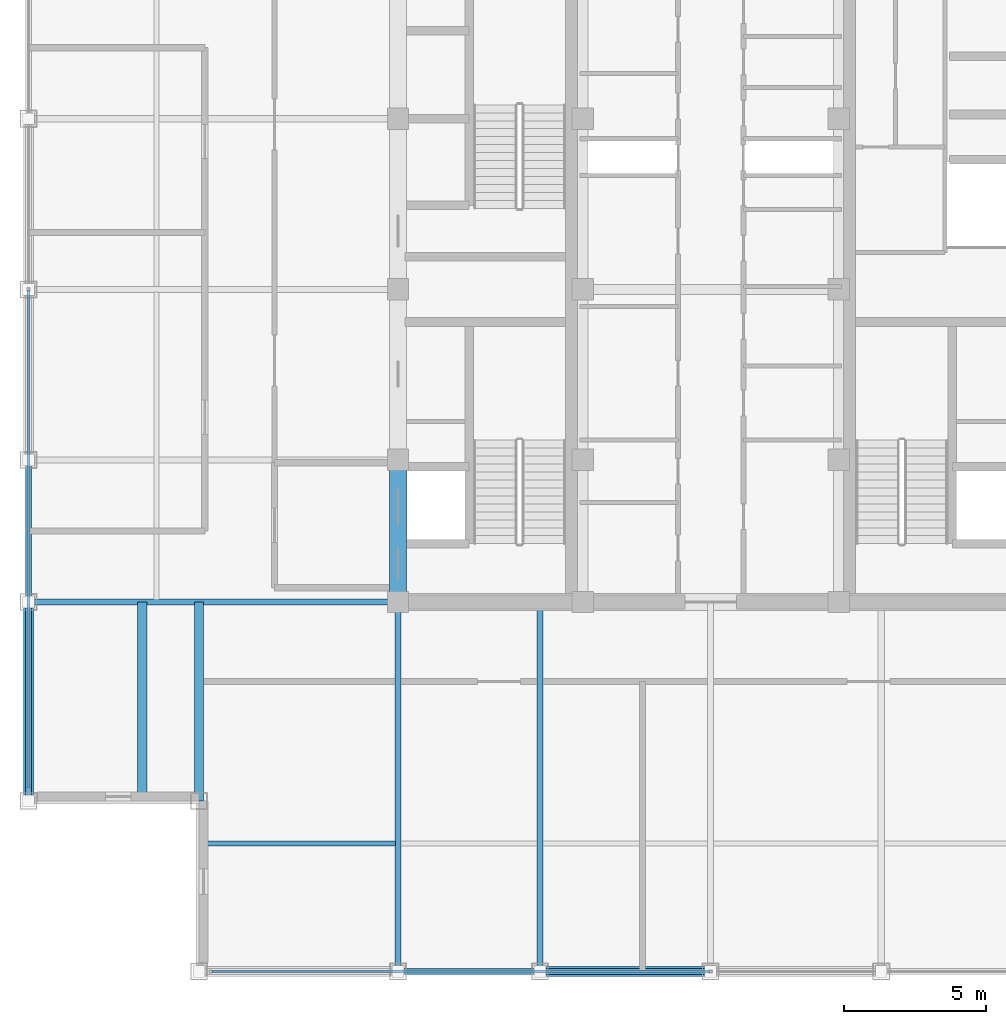
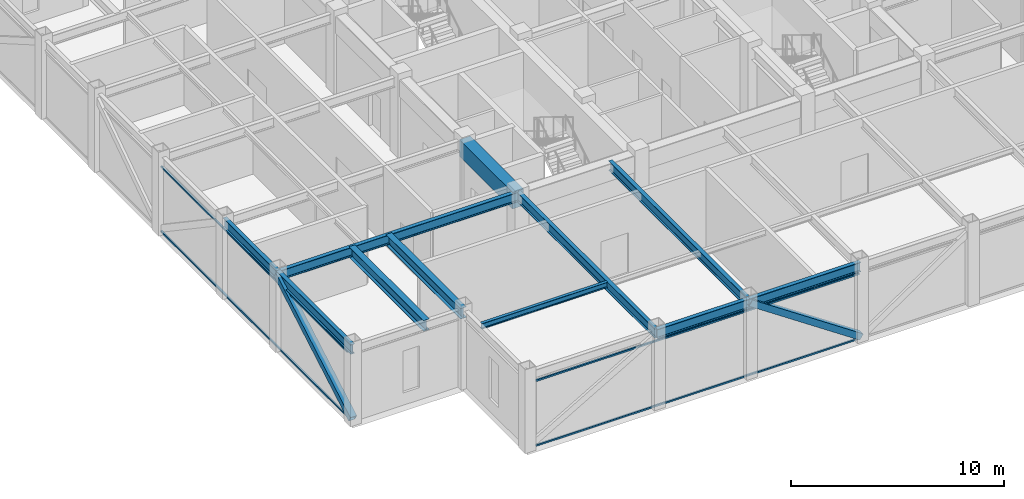
# One storey, part 3 of 27: 11 beams, 6 members, 2 elements without a shape of their own.
"""IFC4 building model written with IfcOpenShell, lengths in metres."""

import ifcopenshell
import ifcopenshell.guid

model = None  # the IFC model being written
_history = None  # IfcOwnerHistory: only IFC2X3 demands one
_inside = {}  # id of a spatial element -> (the spatial element, [elements in it])
_under = {}  # id of a project, library or spatial element -> (it, [spatial elements below it])
_declared = {}  # id of a project -> (the project, [libraries it declares])
_typed = {}  # id of a type object -> (the type object, [elements of that type])
_made_of = {}  # id of a material, layer set ... -> (it, [elements and type objects made of it])


def new_model(schema):
    """Start an empty IFC model of exactly this schema.

    Asked for "IFC4X3", IfcOpenShell would pick the latest addendum, in which some entities
    have other attributes; the version numbers below select the first issue.
    IFC2X3 requires an IfcOwnerHistory on every rooted entity: one is made here for all.
    """
    global model, _history
    if schema == "IFC4X3":
        model = ifcopenshell.file(schema_version=(4, 3, 0, 0))
    else:
        model = ifcopenshell.file(schema=schema)
    _inside.clear()
    _under.clear()
    _declared.clear()
    _typed.clear()
    _made_of.clear()
    _history = None
    if model.schema == "IFC2X3":
        org = make("IfcOrganization", Name="unknown")
        user = make(
            "IfcPersonAndOrganization",
            ThePerson=make("IfcPerson", FamilyName="unknown"),
            TheOrganization=org,
        )
        app = make(
            "IfcApplication",
            ApplicationDeveloper=org,
            Version="unknown",
            ApplicationFullName="unknown",
            ApplicationIdentifier="unknown",
        )
        _history = make(
            "IfcOwnerHistory",
            OwningUser=user,
            OwningApplication=app,
            ChangeAction="ADDED",
            CreationDate=0,
        )
    return model


def make(cls, **values):
    """One entity of the class cls with the attributes given. An attribute that is None is left unset."""
    return model.create_entity(
        cls, **{name: value for name, value in values.items() if value is not None}
    )


def rooted(cls, **values):
    """An entity with a GlobalId (a new one), such as an element, a storey or a relation."""
    return make(cls, GlobalId=ifcopenshell.guid.new(), OwnerHistory=_history, **values)


def si_unit(unit_type, name, prefix=None):
    """IfcSIUnit, for example si_unit("LENGTHUNIT", "METRE", prefix="MILLI")."""
    return make("IfcSIUnit", UnitType=unit_type, Prefix=prefix, Name=name)


def assignment(units):
    """IfcUnitAssignment: the units of a project."""
    return None if units is None else make("IfcUnitAssignment", Units=units)


def point(xyz):
    """IfcCartesianPoint."""
    return None if xyz is None else make("IfcCartesianPoint", Coordinates=xyz)


def direction(xyz):
    """IfcDirection."""
    return None if xyz is None else make("IfcDirection", DirectionRatios=xyz)


def frame(location, z_axis=None, x_axis=None):
    """IfcAxis2Placement3D, a coordinate frame: its origin and axes. An axis left out is left unset."""
    return make(
        "IfcAxis2Placement3D",
        Location=point(location),
        Axis=direction(z_axis),
        RefDirection=direction(x_axis),
    )


def frame_2d(location, x_axis=None):
    """IfcAxis2Placement2D, a coordinate frame in the plane: its origin and x axis."""
    return make(
        "IfcAxis2Placement2D", Location=point(location), RefDirection=direction(x_axis)
    )


def origin():
    """The frame at (0, 0, 0) with its axes left unset."""
    return frame((0.0, 0.0, 0.0))


def origin_2d():
    """The frame at (0, 0) in the plane with its x axis left unset."""
    return frame_2d((0.0, 0.0))


def place(relative_to, where):
    """IfcLocalPlacement: puts the frame where relative to a parent placement (None: the world)."""
    return make(
        "IfcLocalPlacement", PlacementRelTo=relative_to, RelativePlacement=where
    )


def context(
    kind, dimensions, precision=None, world=None, true_north=None, identifier=None
):
    """IfcGeometricRepresentationContext, for example the 3D "Model" context."""
    return make(
        "IfcGeometricRepresentationContext",
        ContextIdentifier=identifier,
        ContextType=kind,
        CoordinateSpaceDimension=dimensions,
        Precision=precision,
        WorldCoordinateSystem=world,
        TrueNorth=true_north,
    )


def subcontext(parent, identifier, kind, view, scale=None):
    """IfcGeometricRepresentationSubContext, for example "Body" below "Model"."""
    return make(
        "IfcGeometricRepresentationSubContext",
        ContextIdentifier=identifier,
        ContextType=kind,
        ParentContext=parent,
        TargetScale=scale,
        TargetView=view,
    )


def project(units=None, contexts=None):
    """IfcProject with its units and contexts."""
    return rooted(
        "IfcProject",
        Name="project",
        RepresentationContexts=contexts,
        UnitsInContext=assignment(units),
    )


def spatial(cls, under=None, at=None, **own):
    """A site, building, storey or space (cls), placed at a placement, below another one or the project."""
    s = rooted(cls, ObjectPlacement=at, **own)
    if under is not None:
        _under.setdefault(under.id(), (under, []))[1].append(s)
    return s


def profile(cls, at=None, kind="AREA", **sizes):
    """A parametric profile (cls). Its sizes go by their IFC names, for example OverallWidth=200.0."""
    return make(cls, ProfileType=kind, Position=at, **sizes)


def rectangle(**sizes):
    """IfcRectangleProfileDef."""
    return profile("IfcRectangleProfileDef", **sizes)


def hollow_rectangle(**sizes):
    """IfcRectangleHollowProfileDef."""
    return profile("IfcRectangleHollowProfileDef", **sizes)


def i_section(**sizes):
    """IfcIShapeProfileDef."""
    return profile("IfcIShapeProfileDef", **sizes)


def extrude(swept, where, along, depth):
    """IfcExtrudedAreaSolid: the profile swept, set in the frame where, extruded along a direction by depth."""
    return make(
        "IfcExtrudedAreaSolid",
        SweptArea=swept,
        Position=where,
        ExtrudedDirection=direction(along),
        Depth=depth,
    )


def shape(context_of_items, identifier, shape_type, items):
    """IfcShapeRepresentation: the items that make up one representation, for example the "Body"."""
    return make(
        "IfcShapeRepresentation",
        ContextOfItems=context_of_items,
        RepresentationIdentifier=identifier,
        RepresentationType=shape_type,
        Items=items,
    )


def source(mapping_origin, context_of_items, identifier, shape_type, items):
    """IfcRepresentationMap: a shape defined once, which mapped items show again and again."""
    return make(
        "IfcRepresentationMap",
        MappingOrigin=mapping_origin,
        MappedRepresentation=shape(context_of_items, identifier, shape_type, items),
    )


def transform(
    local_origin,
    x_axis=None,
    y_axis=None,
    z_axis=None,
    scale=None,
    scale2=None,
    scale3=None,
    uniform=True,
):
    """IfcCartesianTransformationOperator3D, or its non-uniform kind. x_axis, y_axis, z_axis: its Axis1, 2, 3."""
    if uniform:
        return make(
            "IfcCartesianTransformationOperator3D",
            Axis1=direction(x_axis),
            Axis2=direction(y_axis),
            LocalOrigin=point(local_origin),
            Scale=scale,
            Axis3=direction(z_axis),
        )
    return make(
        "IfcCartesianTransformationOperator3DnonUniform",
        Axis1=direction(x_axis),
        Axis2=direction(y_axis),
        LocalOrigin=point(local_origin),
        Scale=scale,
        Axis3=direction(z_axis),
        Scale2=scale2,
        Scale3=scale3,
    )


def mapped(mapping_source, mapping_target):
    """IfcMappedItem: shows the shape of a source again, moved by a transform."""
    return make(
        "IfcMappedItem", MappingSource=mapping_source, MappingTarget=mapping_target
    )


def material(Name=None, Category=None):
    """IfcMaterial."""
    return make("IfcMaterial", Name=Name, Category=Category)


def material_profile(
    of_material, cross_section, Name=None, Category=None, Priority=None
):
    """IfcMaterialProfile: a cross section and its material."""
    return make(
        "IfcMaterialProfile",
        Name=Name,
        Material=of_material,
        Profile=cross_section,
        Priority=Priority,
        Category=Category,
    )


def profile_set(profiles, Name=None, composite=None):
    """IfcMaterialProfileSet."""
    return make(
        "IfcMaterialProfileSet",
        Name=Name,
        MaterialProfiles=profiles,
        CompositeProfile=composite,
    )


def made_of(thing, what):
    """Note that an element or type object is made of a material, layer set ...; save() writes the relation."""
    if what is not None:
        _made_of.setdefault(what.id(), (what, []))[1].append(thing)
    return thing


def type_object(cls, material=None, **own):
    """A type object (cls), such as IfcWallType, which elements share."""
    return made_of(rooted(cls, **own), material)


def element(
    cls,
    number,
    at=None,
    inside=None,
    cuts=None,
    type_object=None,
    material=None,
    context=None,
    identifier="Body",
    shape_type=None,
    held_by="IfcProductDefinitionShape",
    body=None,
    shapes=None,
    **own,
):
    """One element of the class cls, such as IfcWall. Its Tag is "e" and its number.

    at: its placement. inside: the storey or other place that contains it. cuts: it is an
    opening in that element (IfcRelVoidsElement). A single representation is given by context,
    identifier, shape_type and body (its items); several are given by shapes. held_by: the class
    of the entity that holds the representations. save() writes the other relations.
    """
    e = rooted(cls, Tag="e%d" % number, ObjectPlacement=at, **own)
    if body is not None:
        shapes = [shape(context, identifier, shape_type, body)]
    if shapes is not None:
        e.Representation = make(held_by, Representations=shapes)
    if inside is not None:
        _inside.setdefault(inside.id(), (inside, []))[1].append(e)
    if cuts is not None:
        rooted(
            "IfcRelVoidsElement", RelatingBuildingElement=cuts, RelatedOpeningElement=e
        )
    if type_object is not None:
        _typed.setdefault(type_object.id(), (type_object, []))[1].append(e)
    return made_of(e, material)


def aggregate(whole, parts):
    """IfcRelAggregates: a whole, such as a stair, and the parts it consists of."""
    return rooted("IfcRelAggregates", RelatingObject=whole, RelatedObjects=parts)


def save(model, path):
    """Write the relations noted so far, then the file.

    IfcRelAggregates (storeys below a building ...), IfcRelContainedInSpatialStructure (elements
    in a storey), IfcRelDefinesByType, IfcRelAssociatesMaterial and IfcRelDeclares: one each for
    every whole, place, type object, material and project.
    """
    for whole, parts in _under.values():
        aggregate(whole, parts)
    for where, things in _inside.values():
        rooted(
            "IfcRelContainedInSpatialStructure",
            RelatedElements=things,
            RelatingStructure=where,
        )
    for kind, things in _typed.values():
        rooted("IfcRelDefinesByType", RelatedObjects=things, RelatingType=kind)
    for what, things in _made_of.values():
        rooted("IfcRelAssociatesMaterial", RelatedObjects=things, RelatingMaterial=what)
    for by, libraries in _declared.values():
        rooted("IfcRelDeclares", RelatingContext=by, RelatedDefinitions=libraries)
    model.write(path)


model = new_model("IFC4")

# Units and contexts
model_context = context("Model", 3, precision=1e-05, world=origin(), true_north=direction((0.0, 1.0)))
body_context = subcontext(model_context, "Body", "Model", "MODEL_VIEW")
ifc_project = project(units=[si_unit("LENGTHUNIT", "METRE"), si_unit("AREAUNIT", "SQUARE_METRE"), si_unit("VOLUMEUNIT", "CUBIC_METRE"), si_unit("PLANEANGLEUNIT", "RADIAN"), si_unit("MASSUNIT", "GRAM", prefix="KILO")], contexts=[model_context])

# Site, building, storey
site_placement = place(None, origin())
site = spatial("IfcSite", under=ifc_project, at=site_placement, CompositionType="ELEMENT")
building_placement = place(site_placement, origin())
building = spatial("IfcBuilding", under=site, at=building_placement, Name="Khorayat Bourse Tower", CompositionType="ELEMENT")
storey_placement = place(building_placement, frame((0.0, 0.0, 385.10009765625)))
storey = spatial("IfcBuildingStorey", under=building, at=storey_placement, Name="L91", CompositionType="ELEMENT", Elevation=385.10009765625)

# Beams
ifc_material_1 = material(Name="Concrete C60/75", Category="concrete")
ifc_material_profile_1 = material_profile(ifc_material_1, rectangle(XDim=0.60009765625, YDim=0.949951171875, at=origin_2d()), Name="RC 600x950")
ifc_profile_set_1 = profile_set([ifc_material_profile_1], Name="Concrete C60/75")
beam_type_1 = type_object("IfcBeamType", Name="BM-COUP-950", PredefinedType="BEAM", material=ifc_profile_set_1)
shared_shape_1 = source(origin(), body_context, "Body", "SweptSolid", [
    extrude(rectangle(XDim=0.60009765625, YDim=0.949951171875, at=origin_2d()), origin(), (0.0, 0.0, 1.0), 5.0),
])
beam_1_placement = place(storey_placement, frame((-11.0, -11.0, 3.974853515625), z_axis=(0.0, 1.0, 0.0), x_axis=(-1.0, 0.0, 0.0)))
element("IfcBeam", 1, at=beam_1_placement, inside=storey, type_object=beam_type_1, Name="L91 BM-COUP-950 BM-L91-CRX-01", PredefinedType="BEAM", context=body_context, shape_type="MappedRepresentation", body=[
    mapped(shared_shape_1, transform((0.0, 0.0, 0.0), scale=1.0)),
])
ifc_material_2 = material(Name="Steel ASTM A992 Grade 50", Category="steel")
ifc_material_profile_2 = material_profile(ifc_material_2, i_section(OverallWidth=0.214111328125, OverallDepth=0.549072265625, WebThickness=0.0146484375, FlangeThickness=0.023681640625, FilletRadius=0.013916015625, at=origin_2d()), Name="W530X138")
ifc_profile_set_2 = profile_set([ifc_material_profile_2], Name="Steel ASTM A992 Grade 50")
beam_type_2 = type_object("IfcBeamType", Name="BM-SPAN-530", PredefinedType="SPANDREL", material=ifc_profile_set_2)
shared_shape_2 = source(origin(), body_context, "Body", "SweptSolid", [
    extrude(i_section(OverallWidth=0.214111328125, OverallDepth=0.549072265625, WebThickness=0.0146484375, FlangeThickness=0.023681640625, FilletRadius=0.013916015625, at=origin_2d()), origin(), (0.0, 0.0, 1.0), 5.0),
])
for number, where, z_axis, x_axis, name in (
    (2, (-11.0, -24.0, 4.17529296875), (1.0, 0.0, 0.0), (0.0, 1.0, 0.0), "L91 BM-SPAN-530 BM-L91-SPN-025"),
    (3, (-24.0, -11.0, 4.17529296875), (0.0, 1.0, 0.0), (-1.0, 0.0, 0.0), "L91 BM-SPAN-530 BM-L91-SPN-052"),
):
    element("IfcBeam", number, at=place(storey_placement, frame(where, z_axis=z_axis, x_axis=x_axis)), inside=storey, type_object=beam_type_2, Name=name, PredefinedType="SPANDREL", context=body_context, shape_type="MappedRepresentation", body=[
        mapped(shared_shape_2, transform((0.0, 0.0, 0.0), scale=1.0)),
    ])
shared_shape_3 = source(origin(), body_context, "Body", "SweptSolid", [
    extrude(i_section(OverallWidth=0.214111328125, OverallDepth=0.549072265625, WebThickness=0.0146484375, FlangeThickness=0.023681640625, FilletRadius=0.013916015625, at=origin_2d()), origin(), (0.0, 0.0, 1.0), 6.0),
])
beam_2_placement = place(storey_placement, frame((-6.0, -24.0, 4.17529296875), z_axis=(1.0, 0.0, 0.0), x_axis=(0.0, 1.0, 0.0)))
element("IfcBeam", 4, at=beam_2_placement, inside=storey, type_object=beam_type_2, Name="L91 BM-SPAN-530 BM-L91-SPN-026", PredefinedType="SPANDREL", context=body_context, shape_type="MappedRepresentation", body=[
    mapped(shared_shape_3, transform((0.0, 0.0, 0.0), scale=1.0)),
])
shared_shape_4 = source(origin(), body_context, "Body", "SweptSolid", [
    extrude(i_section(OverallWidth=0.214111328125, OverallDepth=0.549072265625, WebThickness=0.0146484375, FlangeThickness=0.023681640625, FilletRadius=0.013916015625, at=origin_2d()), origin(), (0.0, 0.0, 1.0), 7.0),
])
beam_3_placement = place(storey_placement, frame((-24.0, -18.0, 4.17529296875), z_axis=(0.0, 1.0, 0.0), x_axis=(-1.0, 0.0, 0.0)))
element("IfcBeam", 5, at=beam_3_placement, inside=storey, type_object=beam_type_2, Name="L91 BM-SPAN-530 BM-L91-SPN-053", PredefinedType="SPANDREL", context=body_context, shape_type="MappedRepresentation", body=[
    mapped(shared_shape_4, transform((0.0, 0.0, 0.0), scale=1.0)),
])
ifc_material_profile_3 = material_profile(ifc_material_2, i_section(OverallWidth=0.214111328125, OverallDepth=0.549072265625, WebThickness=0.0146484375, FlangeThickness=0.023681640625, FilletRadius=0.013916015625, at=origin_2d()), Name="W530X138")
ifc_profile_set_3 = profile_set([ifc_material_profile_3], Name="Steel ASTM A992 Grade 50")
beam_type_3 = type_object("IfcBeamType", Name="BM-GIRD-530", PredefinedType="BEAM", material=ifc_profile_set_3)
shared_shape_5 = source(origin(), body_context, "Body", "SweptSolid", [
    extrude(i_section(OverallWidth=0.214111328125, OverallDepth=0.549072265625, WebThickness=0.0146484375, FlangeThickness=0.023681640625, FilletRadius=0.013916015625, at=origin_2d()), origin(), (0.0, 0.0, 1.0), 13.0),
])
for number, where, z_axis, x_axis, name in (
    (6, (-11.0, -24.0, 4.17529296875), (0.0, 1.0, 0.0), (-1.0, 0.0, 0.0), "L91 BM-GIRD-530 BM-L91-RADY-057"),
    (7, (-6.0, -24.0, 4.17529296875), (0.0, 1.0, 0.0), (-1.0, 0.0, 0.0), "L91 BM-GIRD-530 BM-L91-RADY-059"),
    (8, (-24.0, -11.0, 4.17529296875), (1.0, 0.0, 0.0), (0.0, 1.0, 0.0), "L91 BM-GIRD-530 BM-L91-RADX-067"),
):
    element("IfcBeam", number, at=place(storey_placement, frame(where, z_axis=z_axis, x_axis=x_axis)), inside=storey, type_object=beam_type_3, Name=name, PredefinedType="BEAM", context=body_context, shape_type="MappedRepresentation", body=[
        mapped(shared_shape_5, transform((0.0, 0.0, 0.0), scale=1.0)),
    ])
ifc_material_profile_4 = material_profile(ifc_material_2, i_section(OverallWidth=0.324951171875, OverallDepth=0.615966796875, WebThickness=0.013916015625, FlangeThickness=0.021484375, FilletRadius=0.01611328125, at=origin_2d()), Name="W610X174")
ifc_profile_set_4 = profile_set([ifc_material_profile_4], Name="Steel ASTM A992 Grade 50")
beam_type_4 = type_object("IfcBeamType", Name="BM-GIRD-610", PredefinedType="BEAM", material=ifc_profile_set_4)
shared_shape_6 = source(origin(), body_context, "Body", "SweptSolid", [
    extrude(i_section(OverallWidth=0.324951171875, OverallDepth=0.615966796875, WebThickness=0.013916015625, FlangeThickness=0.021484375, FilletRadius=0.01611328125, at=origin_2d()), origin(), (0.0, 0.0, 1.0), 7.0),
])
for number, where, z_axis, x_axis, name in (
    (9, (-18.0, -18.0, 4.141845703125), (0.0, 1.0, 0.0), (-1.0, 0.0, 0.0), "L91 BM-GIRD-610 BM-L91-CNRY-076"),
    (10, (-20.0, -18.0, 4.141845703125), (0.0, 1.0, 0.0), (-1.0, 0.0, 0.0), "L91 BM-GIRD-610 BM-L91-CNRY-080"),
):
    element("IfcBeam", number, at=place(storey_placement, frame(where, z_axis=z_axis, x_axis=x_axis)), inside=storey, type_object=beam_type_4, Name=name, PredefinedType="BEAM", context=body_context, shape_type="MappedRepresentation", body=[
        mapped(shared_shape_6, transform((0.0, 0.0, 0.0), scale=1.0)),
    ])
ifc_material_profile_5 = material_profile(ifc_material_2, i_section(OverallWidth=0.1669921875, OverallDepth=0.31689453125, WebThickness=0.007568359375, FlangeThickness=0.01318359375, FilletRadius=0.010009765625, at=origin_2d()), Name="W310X52")
ifc_profile_set_5 = profile_set([ifc_material_profile_5], Name="Steel ASTM A992 Grade 50")
beam_type_5 = type_object("IfcBeamType", Name="BM-JOIST-310", PredefinedType="JOIST", material=ifc_profile_set_5)
shared_shape_7 = source(origin(), body_context, "Body", "SweptSolid", [
    extrude(i_section(OverallWidth=0.1669921875, OverallDepth=0.31689453125, WebThickness=0.007568359375, FlangeThickness=0.01318359375, FilletRadius=0.010009765625, at=origin_2d()), origin(), (0.0, 0.0, 1.0), 6.81005859375),
])
beam_4_placement = place(storey_placement, frame((-17.905029296875, -19.5, 4.29150390625), z_axis=(1.0, 0.0, 0.0), x_axis=(0.0, 1.0, 0.0)))
element("IfcBeam", 11, at=beam_4_placement, inside=storey, type_object=beam_type_5, Name="L91 BM-JOIST-310 BM-L91-JSTX-084", PredefinedType="JOIST", context=body_context, shape_type="MappedRepresentation", body=[
    mapped(shared_shape_7, transform((0.0, 0.0, 0.0), scale=1.0)),
])

# Members
ifc_material_3 = material(Name="Steel EN 10025-2 S355J2", Category="steel")
ifc_material_profile_6 = material_profile(ifc_material_3, hollow_rectangle(XDim=0.35009765625, YDim=0.35009765625, WallThickness=0.02001953125, at=origin_2d()), Name="HSS 350x350x20")
ifc_profile_set_6 = profile_set([ifc_material_profile_6], Name="Steel EN 10025-2 S355J2")
member_type_1 = type_object("IfcMemberType", Name="MBR-CROWN-350", PredefinedType="USERDEFINED", material=ifc_profile_set_6)
shared_shape_8 = source(origin(), body_context, "Body", "SweptSolid", [
    extrude(hollow_rectangle(XDim=0.35009765625, YDim=0.35009765625, WallThickness=0.02001953125, at=origin_2d()), origin(), (0.0, 0.0, 1.0), 8.087158203125),
])
member_1_placement = place(storey_placement, frame((-24.0, -18.0, 0.199951171875), z_axis=(0.0, 0.865564731219, 0.500797060763), x_axis=(-1.0, 0.0, 0.0)))
element("IfcMember", 12, at=member_1_placement, inside=storey, type_object=member_type_1, Name="L91 Lantern Crown Frame Member 09", ObjectType="CROWN FRAME", PredefinedType="USERDEFINED", context=body_context, shape_type="MappedRepresentation", body=[
    mapped(shared_shape_8, transform((0.0, 0.0, 0.0), scale=1.0)),
])
shared_shape_9 = source(origin(), body_context, "Body", "SweptSolid", [
    extrude(hollow_rectangle(XDim=0.35009765625, YDim=0.35009765625, WallThickness=0.02001953125, at=origin_2d()), origin(), (0.0, 0.0, 1.0), 7.239013671875),
])
member_2_placement = place(storey_placement, frame((-6.0, -24.0, 4.25), z_axis=(0.828845546207, 0.0, -0.559477488852), x_axis=(0.0, 1.0, 0.0)))
element("IfcMember", 13, at=member_2_placement, inside=storey, type_object=member_type_1, Name="L91 Lantern Crown Frame Member 02", ObjectType="CROWN FRAME", PredefinedType="USERDEFINED", context=body_context, shape_type="MappedRepresentation", body=[
    mapped(shared_shape_9, transform((0.0, 0.0, 0.0), scale=1.0)),
])

# Curtain wall, members
ifc_material_4 = material(Name="Aluminium EN AW-6063 T6", Category="aluminium")
curtain_wall_type = type_object("IfcCurtainWallType", Name="CW-SYS-07", PredefinedType="NOTDEFINED", material=ifc_material_4)
curtain_wall_1_placement = place(storey_placement, origin())
curtain_wall_1 = element("IfcCurtainWall", 14, at=curtain_wall_1_placement, inside=storey, type_object=curtain_wall_type, Name="L91 Curtain Wall CW-L91-S1", PredefinedType="NOTDEFINED")
ifc_material_profile_7 = material_profile(ifc_material_4, hollow_rectangle(XDim=0.090087890625, YDim=0.090087890625, WallThickness=0.00390625, at=origin_2d()), Name="ALU 90x90x4")
ifc_profile_set_7 = profile_set([ifc_material_profile_7], Name="Aluminium EN AW-6063 T6")
member_type_2 = type_object("IfcMemberType", Name="CWT-HORZ-90", PredefinedType="USERDEFINED", material=ifc_profile_set_7)
shared_shape_10 = source(origin(), body_context, "Body", "SweptSolid", [
    extrude(hollow_rectangle(XDim=0.090087890625, YDim=0.090087890625, WallThickness=0.00390625, at=origin_2d()), origin(), (0.0, 0.0, 1.0), 17.5),
])
member_3_placement = place(storey_placement, frame((-17.550048828125, -24.0, 0.044921875), z_axis=(1.0, 0.0, 0.0), x_axis=(0.0, 1.0, 0.0)))
member_3 = element("IfcMember", 15, at=member_3_placement, type_object=member_type_2, Name="CW-L91-S1 Horizontal Transom 1-1", ObjectType="TRANSOM", PredefinedType="USERDEFINED", context=body_context, shape_type="MappedRepresentation", body=[
    mapped(shared_shape_10, transform((0.0, 0.0, 0.0), scale=1.0)),
])
member_4_placement = place(storey_placement, frame((-17.550048828125, -24.0, 3.7548828125), z_axis=(1.0, 0.0, 0.0), x_axis=(0.0, 1.0, 0.0)))
member_4 = element("IfcMember", 16, at=member_4_placement, type_object=member_type_2, Name="CW-L91-S1 Horizontal Transom 1-2", ObjectType="TRANSOM", PredefinedType="USERDEFINED", context=body_context, shape_type="MappedRepresentation", body=[
    mapped(shared_shape_10, transform((0.0, 0.0, 0.0), scale=1.0)),
])
aggregate(curtain_wall_1, [member_3, member_4])

curtain_wall_2_placement = place(storey_placement, origin())
curtain_wall_2 = element("IfcCurtainWall", 17, at=curtain_wall_2_placement, inside=storey, type_object=curtain_wall_type, Name="L91 Curtain Wall CW-L91-W1", PredefinedType="NOTDEFINED")
member_5_placement = place(storey_placement, frame((-24.0, -17.550048828125, 0.044921875), z_axis=(0.0, 1.0, 0.0), x_axis=(-1.0, 0.0, 0.0)))
member_5 = element("IfcMember", 18, at=member_5_placement, type_object=member_type_2, Name="CW-L91-W1 Horizontal Transom 1-1", ObjectType="TRANSOM", PredefinedType="USERDEFINED", context=body_context, shape_type="MappedRepresentation", body=[
    mapped(shared_shape_10, transform((0.0, 0.0, 0.0), scale=1.0)),
])
member_6_placement = place(storey_placement, frame((-24.0, -17.550048828125, 3.7548828125), z_axis=(0.0, 1.0, 0.0), x_axis=(-1.0, 0.0, 0.0)))
member_6 = element("IfcMember", 19, at=member_6_placement, type_object=member_type_2, Name="CW-L91-W1 Horizontal Transom 1-2", ObjectType="TRANSOM", PredefinedType="USERDEFINED", context=body_context, shape_type="MappedRepresentation", body=[
    mapped(shared_shape_10, transform((0.0, 0.0, 0.0), scale=1.0)),
])
aggregate(curtain_wall_2, [member_5, member_6])

save(model, "model.ifc")
